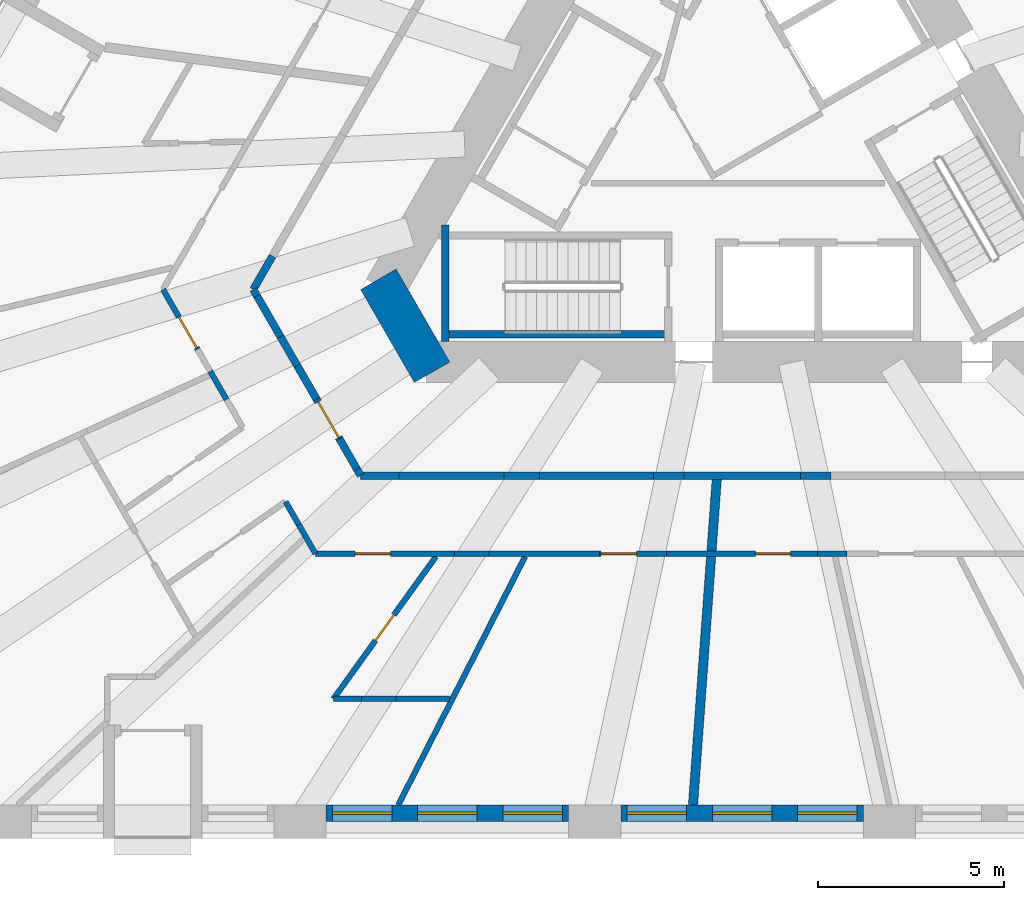
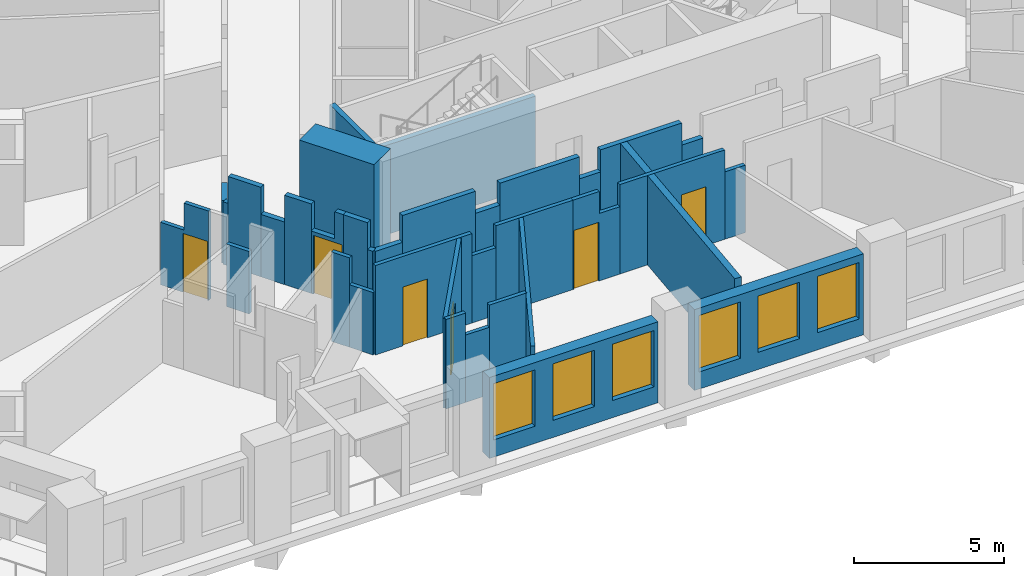
# One storey, part 3 of 14: 36 walls, 6 doors, 6 windows, 12 openings.
"""IFC4 building model written with IfcOpenShell, lengths in metres."""

from ifc_helpers import new_model, si_unit, direction, frame, frame_2d, origin, place, context, subcontext, project, spatial, polyline, rectangle, outline, extrude, material, layer, layer_set, type_object, element, fill, save


model = new_model("IFC4")

# Units and contexts
model_context = context("Model", 3, precision=1e-05, world=origin(), true_north=direction((0.0, 1.0)))
body_context = subcontext(model_context, "Body", "Model", "MODEL_VIEW")
ifc_project = project(units=[si_unit("LENGTHUNIT", "METRE"), si_unit("AREAUNIT", "SQUARE_METRE"), si_unit("VOLUMEUNIT", "CUBIC_METRE"), si_unit("PLANEANGLEUNIT", "RADIAN"), si_unit("MASSUNIT", "GRAM", prefix="KILO")], contexts=[model_context])

# Site, building, storey
site_placement = place(None, origin())
site = spatial("IfcSite", under=ifc_project, at=site_placement, CompositionType="ELEMENT")
building_placement = place(site_placement, origin())
building = spatial("IfcBuilding", under=site, at=building_placement, Name="Tramontana Tower", CompositionType="ELEMENT")
storey_placement = place(building_placement, frame((0.0, 0.0, 34.0)))
storey = spatial("IfcBuildingStorey", under=building, at=storey_placement, Name="L06", CompositionType="ELEMENT", Elevation=34.0)

# Walls
ifc_material_1 = material(Name="Concrete 70 MPa", Category="concrete")
ifc_layer_1 = layer(ifc_material_1, 1.10009765625)
ifc_layer_set_1 = layer_set([ifc_layer_1], Name="Core wall 1100 70 MPa")
wall_type_1 = type_object("IfcWallType", Name="Core wall 1100 70 MPa", PredefinedType="SHEAR", material=ifc_layer_set_1)
wall_1_placement = place(storey_placement, frame((-9.771728515625, -3.97509765625, 0.0), z_axis=(0.0, 0.0, 1.0), x_axis=(0.499995765644, -0.866027848477, 0.0)))
element("IfcWall", 1, at=wall_1_placement, inside=storey, type_object=wall_type_1, Name="Core wall C2 L06", PredefinedType="SHEAR", context=body_context, shape_type="SweptSolid", body=[
    extrude(rectangle(XDim=2.88671875, YDim=1.10009765625, at=frame_2d((1.443359375, 0.0))), origin(), (0.0, 0.0, 1.0), 4.0),
])
ifc_material_2 = material(Name="Blockwork", Category="masonry")
ifc_layer_2 = layer(ifc_material_2, 0.199951171875)
ifc_layer_set_2 = layer_set([ifc_layer_2], Name="ENTRY WALL 200")
wall_type_2 = type_object("IfcWallType", Name="ENTRY WALL 200", PredefinedType="SOLIDWALL", material=ifc_layer_set_2)
wall_2_placement = place(storey_placement, frame((2.383056640625, -9.25, 0.0), z_axis=(0.0, 0.0, 1.0), x_axis=(-1.0, 0.0, 0.0)))
element("IfcWall", 2, at=wall_2_placement, inside=storey, type_object=wall_type_2, Name="Wall v01-ew2-4", PredefinedType="SOLIDWALL", context=body_context, shape_type="SweptSolid", body=[
    extrude(rectangle(XDim=0.81787109375, YDim=0.199951171875, at=frame_2d((0.408935546875, 0.0))), origin(), (0.0, 0.0, 1.0), 2.75),
])
wall_3_placement = place(storey_placement, frame((1.565185546875, -9.25, 0.0), z_axis=(0.0, 0.0, 1.0), x_axis=(-1.0, 0.0, 0.0)))
element("IfcWall", 3, at=wall_3_placement, inside=storey, type_object=wall_type_2, Name="Wall v01-ew2-5", PredefinedType="SOLIDWALL", context=body_context, shape_type="SweptSolid", body=[
    extrude(rectangle(XDim=3.13037109375, YDim=0.199951171875, at=frame_2d((1.565185546875, 0.0))), origin(), (0.0, 0.0, 1.0), 3.64990234375),
])
wall_4_placement = place(storey_placement, frame((-1.565185546875, -9.25, 0.0), z_axis=(0.0, 0.0, 1.0), x_axis=(-1.0, 0.0, 0.0)))
element("IfcWall", 4, at=wall_4_placement, inside=storey, type_object=wall_type_2, Name="Wall v01-ew2-6", PredefinedType="SOLIDWALL", context=body_context, shape_type="SweptSolid", body=[
    extrude(rectangle(XDim=0.81787109375, YDim=0.199951171875, at=frame_2d((0.408935546875, 0.0))), origin(), (0.0, 0.0, 1.0), 2.75),
])
wall_5_placement = place(storey_placement, frame((-2.383056640625, -9.25, 0.0), z_axis=(0.0, 0.0, 1.0), x_axis=(-1.0, 0.0, 0.0)))
element("IfcWall", 5, at=wall_5_placement, inside=storey, type_object=wall_type_2, Name="Wall v01-ew2-7", PredefinedType="SOLIDWALL", context=body_context, shape_type="SweptSolid", body=[
    extrude(rectangle(XDim=3.064453125, YDim=0.199951171875, at=frame_2d((1.5322265625, 0.0))), origin(), (0.0, 0.0, 1.0), 3.64990234375),
])
wall_6_placement = place(storey_placement, frame((-5.447509765625, -9.25, 0.0), z_axis=(0.0, 0.0, 1.0), x_axis=(-1.0, 0.0, 0.0)))
element("IfcWall", 6, at=wall_6_placement, inside=storey, type_object=wall_type_2, Name="Wall v01-ew2-8", PredefinedType="SOLIDWALL", context=body_context, shape_type="SweptSolid", body=[
    extrude(rectangle(XDim=0.949951171875, YDim=0.199951171875, at=frame_2d((0.47509765625, 0.0))), origin(), (0.0, 0.0, 1.0), 2.75),
])
wall_7_placement = place(storey_placement, frame((-6.3974609375, -9.25, 0.0), z_axis=(0.0, 0.0, 1.0), x_axis=(-1.0, 0.0, 0.0)))
element("IfcWall", 7, at=wall_7_placement, inside=storey, type_object=wall_type_2, Name="Wall v01-ew2-9", PredefinedType="SOLIDWALL", context=body_context, shape_type="SweptSolid", body=[
    extrude(rectangle(XDim=2.815185546875, YDim=0.199951171875, at=frame_2d((1.40771484375, 0.0))), origin(), (0.0, 0.0, 1.0), 3.64990234375),
])
wall_8_placement = place(storey_placement, frame((-9.212646484375, -9.25, 0.0), z_axis=(0.0, 0.0, 1.0), x_axis=(-1.0, 0.0, 0.0)))
element("IfcWall", 8, at=wall_8_placement, inside=storey, type_object=wall_type_2, Name="Wall v01-ew2-10", PredefinedType="SOLIDWALL", context=body_context, shape_type="SweptSolid", body=[
    extrude(rectangle(XDim=1.035400390625, YDim=0.199951171875, at=frame_2d((0.517578125, 0.0))), origin(), (0.0, 0.0, 1.0), 2.550048828125),
])
wall_9_placement = place(storey_placement, frame((-10.248046875, -9.25, 0.0), z_axis=(0.0, 0.0, 1.0), x_axis=(-0.499865263774, 0.866103179807, 0.0)))
element("IfcWall", 9, at=wall_9_placement, inside=storey, type_object=wall_type_2, Name="Wall v01-ew3-0", PredefinedType="SOLIDWALL", context=body_context, shape_type="SweptSolid", body=[
    extrude(rectangle(XDim=0.197265625, YDim=0.199951171875, at=frame_2d((0.0986328125, 0.0))), origin(), (0.0, 0.0, 1.0), 2.550048828125),
])
wall_10_placement = place(storey_placement, frame((-10.3466796875, -9.0791015625, 0.0), z_axis=(0.0, 0.0, 1.0), x_axis=(-0.499925626596, 0.866068339032, 0.0)))
element("IfcWall", 10, at=wall_10_placement, inside=storey, type_object=wall_type_2, Name="Wall v01-ew3-1", PredefinedType="SOLIDWALL", context=body_context, shape_type="SweptSolid", body=[
    extrude(rectangle(XDim=0.936279296875, YDim=0.199951171875, at=frame_2d((0.46826171875, 0.0))), origin(), (0.0, 0.0, 1.0), 3.64990234375),
])

# Wall, opening, door
wall_11_placement = place(storey_placement, frame((-10.814697265625, -8.268310546875, 0.0), z_axis=(0.0, 0.0, 1.0), x_axis=(-0.500036725936, 0.866004199017, 0.0)))
wall_11 = element("IfcWall", 11, at=wall_11_placement, inside=storey, type_object=wall_type_2, Name="Wall v01-ew3-2", PredefinedType="SOLIDWALL", context=body_context, shape_type="SweptSolid", body=[
    extrude(outline(polyline([(0.0, 0.0), (1.23291015625, 0.0), (1.23291015625, 2.550048828125), (0.33056640625, 2.550048828125), (0.33056640625, 3.64990234375), (0.0, 3.64990234375), (0.0, 0.0)])), frame((0.0, 0.10009765625, 0.0), z_axis=(0.0, -1.0, 0.0), x_axis=(1.0, 0.0, 0.0)), (0.0, 0.0, 1.0), 0.199951171875),
])
opening_1_placement = place(wall_11_placement, frame((0.050048828125, 0.0, 0.0)))
opening_1 = element("IfcOpeningElement", 12, at=opening_1_placement, cuts=wall_11, Name="Opening B0B-35", PredefinedType="OPENING", context=body_context, shape_type="SweptSolid", body=[
    extrude(rectangle(XDim=1.10009765625, YDim=2.39990234375, at=frame_2d((0.550048828125, 1.199951171875))), frame((0.0, 0.10986328125, 0.0), z_axis=(0.0, -1.0, 0.0), x_axis=(1.0, 0.0, 0.0)), (0.0, 0.0, 1.0), 0.219970703125),
])
ifc_material_3 = material(Name="Painted timber", Category="wood")
door_type_1 = type_object("IfcDoorType", Name="DOOR ENTRY 1100", OperationType="SINGLE_SWING_LEFT", PredefinedType="DOOR", material=ifc_material_3)
door_1_placement = place(opening_1_placement, origin())
door_1 = element("IfcDoor", 13, at=door_1_placement, inside=storey, type_object=door_type_1, Name="Door B0B-35", OperationType="SINGLE_SWING_LEFT", OverallHeight=2.39990234375, OverallWidth=1.10009765625, PredefinedType="DOOR", context=body_context, shape_type="SweptSolid", body=[
    extrude(rectangle(XDim=1.10009765625, YDim=2.39990234375, at=frame_2d((0.550048828125, 1.199951171875))), frame((0.0, 0.02490234375, 0.0), z_axis=(0.0, -1.0, 0.0), x_axis=(1.0, 0.0, 0.0)), (0.0, 0.0, 1.0), 0.050048828125),
])
fill(opening_1, door_1)

# Walls
wall_12_placement = place(storey_placement, frame((-11.43115234375, -7.20068359375, 0.0), z_axis=(0.0, 0.0, 1.0), x_axis=(-0.499898446243, 0.866084027935, 0.0)))
element("IfcWall", 14, at=wall_12_placement, inside=storey, type_object=wall_type_2, Name="Wall v01-ew3-3", PredefinedType="SOLIDWALL", context=body_context, shape_type="SweptSolid", body=[
    extrude(rectangle(XDim=1.040771484375, YDim=0.199951171875, at=frame_2d((0.5205078125, 0.0))), origin(), (0.0, 0.0, 1.0), 3.64990234375),
])
wall_13_placement = place(storey_placement, frame((-11.951416015625, -6.29931640625, 0.0), z_axis=(0.0, 0.0, 1.0), x_axis=(-0.500097243556, 0.865969252911, 0.0)))
element("IfcWall", 15, at=wall_13_placement, inside=storey, type_object=wall_type_2, Name="Wall v01-ew3-4", PredefinedType="SOLIDWALL", context=body_context, shape_type="SweptSolid", body=[
    extrude(rectangle(XDim=0.902099609375, YDim=0.199951171875, at=frame_2d((0.451171875, 0.0))), origin(), (0.0, 0.0, 1.0), 2.550048828125),
])
wall_14_placement = place(storey_placement, frame((-12.402587890625, -5.51806640625, 0.0), z_axis=(0.0, 0.0, 1.0), x_axis=(-0.500056058743, 0.865993035835, 0.0)))
element("IfcWall", 16, at=wall_14_placement, inside=storey, type_object=wall_type_2, Name="Wall v01-ew3-5", PredefinedType="SOLIDWALL", context=body_context, shape_type="SweptSolid", body=[
    extrude(rectangle(XDim=1.266845703125, YDim=0.199951171875, at=frame_2d((0.63330078125, 0.0))), origin(), (0.0, 0.0, 1.0), 3.64990234375),
])
wall_15_placement = place(storey_placement, frame((-13.0361328125, -4.4208984375, 0.0), z_axis=(0.0, 0.0, 1.0), x_axis=(-0.499865263774, 0.866103179807, 0.0)))
element("IfcWall", 17, at=wall_15_placement, inside=storey, type_object=wall_type_2, Name="Wall v01-ew3-6", PredefinedType="SOLIDWALL", context=body_context, shape_type="SweptSolid", body=[
    extrude(rectangle(XDim=0.197265625, YDim=0.199951171875, at=frame_2d((0.0986328125, 0.0))), origin(), (0.0, 0.0, 1.0), 2.550048828125),
])
wall_16_placement = place(storey_placement, frame((-13.134765625, -4.25, 0.0), z_axis=(0.0, 0.0, 1.0), x_axis=(0.500171514983, 0.865926356915, 0.0)))
element("IfcWall", 18, at=wall_16_placement, inside=storey, type_object=wall_type_2, Name="Wall v01-ew4-0", PredefinedType="SOLIDWALL", context=body_context, shape_type="SweptSolid", body=[
    extrude(rectangle(XDim=1.035400390625, YDim=0.199951171875, at=frame_2d((0.517578125, 0.0))), origin(), (0.0, 0.0, 1.0), 2.550048828125),
])

# Wall, openings, windows
ifc_material_4 = material(Name="Precast concrete 60 MPa", Category="concrete")
ifc_layer_3 = layer(ifc_material_4, 0.449951171875)
ifc_layer_set_3 = layer_set([ifc_layer_3], Name="Precast concrete 60 MPa, 450 mm")
wall_type_3 = type_object("IfcWallType", Name="EW1 Stone-faced precast wall 450", PredefinedType="SOLIDWALL", material=ifc_layer_set_3)
wall_17_placement = place(storey_placement, frame((-11.177001953125, -18.324951171875, 0.0), z_axis=(0.0, 0.0, 1.0), x_axis=(1.0, 0.0, 0.0)))
wall_17 = element("IfcWall", 19, at=wall_17_placement, inside=storey, type_object=wall_type_3, Name="External wall L06 face 1 bay 3", PredefinedType="SOLIDWALL", context=body_context, shape_type="SweptSolid", body=[
    extrude(rectangle(XDim=6.51806640625, YDim=0.449951171875, at=frame_2d((3.259033203125, 0.0))), origin(), (0.0, 0.0, 1.0), 3.300048828125),
])
opening_2_placement = place(wall_17_placement, frame((0.169677734375, 0.0, 0.699951171875)))
opening_2 = element("IfcOpeningElement", 20, at=opening_2_placement, cuts=wall_17, Name="Opening M1", PredefinedType="OPENING", context=body_context, shape_type="SweptSolid", body=[
    extrude(rectangle(XDim=1.60009765625, YDim=2.300048828125, at=frame_2d((0.800048828125, 1.14990234375))), frame((0.0, 0.23486328125, 0.0), z_axis=(0.0, -1.0, 0.0), x_axis=(1.0, 0.0, 0.0)), (0.0, 0.0, 1.0), 0.469970703125),
])
opening_3_placement = place(wall_17_placement, frame((2.458984375, 0.0, 0.699951171875)))
opening_3 = element("IfcOpeningElement", 21, at=opening_3_placement, cuts=wall_17, Name="Opening M1", PredefinedType="OPENING", context=body_context, shape_type="SweptSolid", body=[
    extrude(rectangle(XDim=1.60009765625, YDim=2.300048828125, at=frame_2d((0.800048828125, 1.14990234375))), frame((0.0, 0.23486328125, 0.0), z_axis=(0.0, -1.0, 0.0), x_axis=(1.0, 0.0, 0.0)), (0.0, 0.0, 1.0), 0.469970703125),
])
opening_4_placement = place(wall_17_placement, frame((4.748291015625, 0.0, 0.699951171875)))
opening_4 = element("IfcOpeningElement", 22, at=opening_4_placement, cuts=wall_17, Name="Opening M1", PredefinedType="OPENING", context=body_context, shape_type="SweptSolid", body=[
    extrude(rectangle(XDim=1.60009765625, YDim=2.300048828125, at=frame_2d((0.800048828125, 1.14990234375))), frame((0.0, 0.23486328125, 0.0), z_axis=(0.0, -1.0, 0.0), x_axis=(1.0, 0.0, 0.0)), (0.0, 0.0, 1.0), 0.469970703125),
])
ifc_material_5 = material(Name="Aluminum frame, double glazing unit", Category="aluminium")
window_type = type_object("IfcWindowType", Name="M1 Window 1.6 x 2.3", PartitioningType="SINGLE_PANEL", PredefinedType="WINDOW", material=ifc_material_5)
window_1_placement = place(opening_2_placement, origin())
window_1 = element("IfcWindow", 23, at=window_1_placement, inside=storey, type_object=window_type, Name="Window M1 L06 face 1 module 7", OverallHeight=2.300048828125, OverallWidth=1.60009765625, PartitioningType="SINGLE_PANEL", PredefinedType="WINDOW", context=body_context, shape_type="SweptSolid", body=[
    extrude(rectangle(XDim=1.60009765625, YDim=2.300048828125, at=frame_2d((0.800048828125, 1.14990234375))), frame((0.0, 0.030029296875, 0.0), z_axis=(0.0, -1.0, 0.0), x_axis=(1.0, 0.0, 0.0)), (0.0, 0.0, 1.0), 0.06005859375),
])
fill(opening_2, window_1)
window_2_placement = place(opening_3_placement, origin())
window_2 = element("IfcWindow", 24, at=window_2_placement, inside=storey, type_object=window_type, Name="Window M1 L06 face 1 module 8", OverallHeight=2.300048828125, OverallWidth=1.60009765625, PartitioningType="SINGLE_PANEL", PredefinedType="WINDOW", context=body_context, shape_type="SweptSolid", body=[
    extrude(rectangle(XDim=1.60009765625, YDim=2.300048828125, at=frame_2d((0.800048828125, 1.14990234375))), frame((0.0, 0.030029296875, 0.0), z_axis=(0.0, -1.0, 0.0), x_axis=(1.0, 0.0, 0.0)), (0.0, 0.0, 1.0), 0.06005859375),
])
fill(opening_3, window_2)
window_3_placement = place(opening_4_placement, origin())
window_3 = element("IfcWindow", 25, at=window_3_placement, inside=storey, type_object=window_type, Name="Window M1 L06 face 1 module 9", OverallHeight=2.300048828125, OverallWidth=1.60009765625, PartitioningType="SINGLE_PANEL", PredefinedType="WINDOW", context=body_context, shape_type="SweptSolid", body=[
    extrude(rectangle(XDim=1.60009765625, YDim=2.300048828125, at=frame_2d((0.800048828125, 1.14990234375))), frame((0.0, 0.030029296875, 0.0), z_axis=(0.0, -1.0, 0.0), x_axis=(1.0, 0.0, 0.0)), (0.0, 0.0, 1.0), 0.06005859375),
])
fill(opening_4, window_3)

wall_18_placement = place(storey_placement, frame((-3.259033203125, -18.324951171875, 0.0), z_axis=(0.0, 0.0, 1.0), x_axis=(1.0, 0.0, 0.0)))
wall_18 = element("IfcWall", 26, at=wall_18_placement, inside=storey, type_object=wall_type_3, Name="External wall L06 face 1 bay 4", PredefinedType="SOLIDWALL", context=body_context, shape_type="SweptSolid", body=[
    extrude(rectangle(XDim=6.51806640625, YDim=0.449951171875, at=frame_2d((3.259033203125, 0.0))), origin(), (0.0, 0.0, 1.0), 3.300048828125),
])
opening_5_placement = place(wall_18_placement, frame((0.169677734375, 0.0, 0.699951171875)))
opening_5 = element("IfcOpeningElement", 27, at=opening_5_placement, cuts=wall_18, Name="Opening M1", PredefinedType="OPENING", context=body_context, shape_type="SweptSolid", body=[
    extrude(rectangle(XDim=1.60009765625, YDim=2.300048828125, at=frame_2d((0.800048828125, 1.14990234375))), frame((0.0, 0.23486328125, 0.0), z_axis=(0.0, -1.0, 0.0), x_axis=(1.0, 0.0, 0.0)), (0.0, 0.0, 1.0), 0.469970703125),
])
opening_6_placement = place(wall_18_placement, frame((2.458984375, 0.0, 0.699951171875)))
opening_6 = element("IfcOpeningElement", 28, at=opening_6_placement, cuts=wall_18, Name="Opening M1", PredefinedType="OPENING", context=body_context, shape_type="SweptSolid", body=[
    extrude(rectangle(XDim=1.60009765625, YDim=2.300048828125, at=frame_2d((0.800048828125, 1.14990234375))), frame((0.0, 0.23486328125, 0.0), z_axis=(0.0, -1.0, 0.0), x_axis=(1.0, 0.0, 0.0)), (0.0, 0.0, 1.0), 0.469970703125),
])
opening_7_placement = place(wall_18_placement, frame((4.748291015625, 0.0, 0.699951171875)))
opening_7 = element("IfcOpeningElement", 29, at=opening_7_placement, cuts=wall_18, Name="Opening M1", PredefinedType="OPENING", context=body_context, shape_type="SweptSolid", body=[
    extrude(rectangle(XDim=1.60009765625, YDim=2.300048828125, at=frame_2d((0.800048828125, 1.14990234375))), frame((0.0, 0.23486328125, 0.0), z_axis=(0.0, -1.0, 0.0), x_axis=(1.0, 0.0, 0.0)), (0.0, 0.0, 1.0), 0.469970703125),
])
window_4_placement = place(opening_5_placement, origin())
window_4 = element("IfcWindow", 30, at=window_4_placement, inside=storey, type_object=window_type, Name="Window M1 L06 face 1 module 10", OverallHeight=2.300048828125, OverallWidth=1.60009765625, PartitioningType="SINGLE_PANEL", PredefinedType="WINDOW", context=body_context, shape_type="SweptSolid", body=[
    extrude(rectangle(XDim=1.60009765625, YDim=2.300048828125, at=frame_2d((0.800048828125, 1.14990234375))), frame((0.0, 0.030029296875, 0.0), z_axis=(0.0, -1.0, 0.0), x_axis=(1.0, 0.0, 0.0)), (0.0, 0.0, 1.0), 0.06005859375),
])
fill(opening_5, window_4)
window_5_placement = place(opening_6_placement, origin())
window_5 = element("IfcWindow", 31, at=window_5_placement, inside=storey, type_object=window_type, Name="Window M1 L06 face 1 module 11", OverallHeight=2.300048828125, OverallWidth=1.60009765625, PartitioningType="SINGLE_PANEL", PredefinedType="WINDOW", context=body_context, shape_type="SweptSolid", body=[
    extrude(rectangle(XDim=1.60009765625, YDim=2.300048828125, at=frame_2d((0.800048828125, 1.14990234375))), frame((0.0, 0.030029296875, 0.0), z_axis=(0.0, -1.0, 0.0), x_axis=(1.0, 0.0, 0.0)), (0.0, 0.0, 1.0), 0.06005859375),
])
fill(opening_6, window_5)
window_6_placement = place(opening_7_placement, origin())
window_6 = element("IfcWindow", 32, at=window_6_placement, inside=storey, type_object=window_type, Name="Window M1 L06 face 1 module 12", OverallHeight=2.300048828125, OverallWidth=1.60009765625, PartitioningType="SINGLE_PANEL", PredefinedType="WINDOW", context=body_context, shape_type="SweptSolid", body=[
    extrude(rectangle(XDim=1.60009765625, YDim=2.300048828125, at=frame_2d((0.800048828125, 1.14990234375))), frame((0.0, 0.030029296875, 0.0), z_axis=(0.0, -1.0, 0.0), x_axis=(1.0, 0.0, 0.0)), (0.0, 0.0, 1.0), 0.06005859375),
])
fill(opening_7, window_6)

# Wall
ifc_material_6 = material(Name="Gypsum board partition")
ifc_layer_4 = layer(ifc_material_6, 0.14990234375)
ifc_layer_set_4 = layer_set([ifc_layer_4], Name="PARTITION 150")
wall_type_4 = type_object("IfcWallType", Name="PARTITION 150", PredefinedType="PARTITIONING", material=ifc_layer_set_4)
wall_19_placement = place(storey_placement, frame((-13.85205078125, -7.207763671875, 0.0), z_axis=(0.0, 0.0, 1.0), x_axis=(-0.499850947872, 0.86611144197, 0.0)))
element("IfcWall", 33, at=wall_19_placement, inside=storey, type_object=wall_type_4, Name="Wall v01-pw09-1", PredefinedType="PARTITIONING", context=body_context, shape_type="SweptSolid", body=[
    extrude(rectangle(XDim=0.877197265625, YDim=0.14990234375, at=frame_2d((0.4384765625, 0.0))), origin(), (0.0, 0.0, 1.0), 2.550048828125),
])

# Wall, opening, door
wall_20_placement = place(storey_placement, frame((-14.631103515625, -5.8583984375, 0.0), z_axis=(0.0, 0.0, 1.0), x_axis=(-0.499942461466, 0.866058621124, 0.0)))
wall_20 = element("IfcWall", 34, at=wall_20_placement, inside=storey, type_object=wall_type_4, Name="Wall v01-pw09-3", PredefinedType="PARTITIONING", context=body_context, shape_type="SweptSolid", body=[
    extrude(outline(polyline([(0.0, 0.0), (1.857177734375, 0.0), (1.857177734375, 2.550048828125), (0.95068359375, 2.550048828125), (0.95068359375, 3.64990234375), (0.0, 3.64990234375), (0.0, 0.0)])), frame((0.0, 0.074951171875, 0.0), z_axis=(0.0, -1.0, 0.0), x_axis=(1.0, 0.0, 0.0)), (0.0, 0.0, 1.0), 0.14990234375),
])
opening_8_placement = place(wall_20_placement, frame((0.050048828125, 0.0, 0.0)))
opening_8 = element("IfcOpeningElement", 35, at=opening_8_placement, cuts=wall_20, Name="Opening B0B-17", PredefinedType="OPENING", context=body_context, shape_type="SweptSolid", body=[
    extrude(rectangle(XDim=0.949951171875, YDim=2.39990234375, at=frame_2d((0.47509765625, 1.199951171875))), frame((0.0, 0.0849609375, 0.0), z_axis=(0.0, -1.0, 0.0), x_axis=(1.0, 0.0, 0.0)), (0.0, 0.0, 1.0), 0.169921875),
])
ifc_material_7 = material(Name="Painted timber", Category="wood")
door_type_2 = type_object("IfcDoorType", Name="DOOR ROOM 950", OperationType="SINGLE_SWING_LEFT", PredefinedType="DOOR", material=ifc_material_7)
door_2_placement = place(opening_8_placement, origin())
door_2 = element("IfcDoor", 36, at=door_2_placement, inside=storey, type_object=door_type_2, Name="Door B0B-17", OperationType="SINGLE_SWING_LEFT", OverallHeight=2.39990234375, OverallWidth=0.949951171875, PredefinedType="DOOR", context=body_context, shape_type="SweptSolid", body=[
    extrude(rectangle(XDim=0.949951171875, YDim=2.39990234375, at=frame_2d((0.47509765625, 1.199951171875))), frame((0.0, 0.02490234375, 0.0), z_axis=(0.0, -1.0, 0.0), x_axis=(1.0, 0.0, 0.0)), (0.0, 0.0, 1.0), 0.050048828125),
])
fill(opening_8, door_2)

# Walls
wall_21_placement = place(storey_placement, frame((-11.46044921875, -11.35009765625, 0.0), z_axis=(0.0, 0.0, 1.0), x_axis=(-0.499846793097, 0.866113839764, 0.0)))
element("IfcWall", 37, at=wall_21_placement, inside=storey, type_object=wall_type_4, Name="Wall v01-pw13-0", PredefinedType="PARTITIONING", context=body_context, shape_type="SweptSolid", body=[
    extrude(rectangle(XDim=0.906494140625, YDim=0.14990234375, at=frame_2d((0.453125, 0.0))), origin(), (0.0, 0.0, 1.0), 2.550048828125),
])
wall_22_placement = place(storey_placement, frame((-11.91357421875, -10.56494140625, 0.0), z_axis=(0.0, 0.0, 1.0), x_axis=(-0.500081682786, 0.86597823907, 0.0)))
element("IfcWall", 38, at=wall_22_placement, inside=storey, type_object=wall_type_4, Name="Wall v01-pw13-1", PredefinedType="PARTITIONING", context=body_context, shape_type="SweptSolid", body=[
    extrude(rectangle(XDim=0.7060546875, YDim=0.14990234375, at=frame_2d((0.35302734375, 0.0))), origin(), (0.0, 0.0, 1.0), 3.64990234375),
])

# Wall, opening, door
wall_23_placement = place(storey_placement, frame((-8.2255859375, -11.425048828125, 0.0), z_axis=(0.0, 0.0, 1.0), x_axis=(-0.584296538354, -0.811540236382, 0.0)))
wall_23 = element("IfcWall", 39, at=wall_23_placement, inside=storey, type_object=wall_type_4, Name="Wall v01-pw14", PredefinedType="PARTITIONING", context=body_context, shape_type="SweptSolid", body=[
    extrude(rectangle(XDim=4.713134765625, YDim=0.14990234375, at=frame_2d((2.3564453125, 0.0))), origin(), (0.0, 0.0, 1.0), 3.64990234375),
])
opening_9_placement = place(wall_23_placement, frame((1.931640625, 0.0, 0.0)))
opening_9 = element("IfcOpeningElement", 40, at=opening_9_placement, cuts=wall_23, Name="Opening B0B-22", PredefinedType="OPENING", context=body_context, shape_type="SweptSolid", body=[
    extrude(rectangle(XDim=0.85009765625, YDim=2.39990234375, at=frame_2d((0.425048828125, 1.199951171875))), frame((0.0, 0.0849609375, 0.0), z_axis=(0.0, -1.0, 0.0), x_axis=(1.0, 0.0, 0.0)), (0.0, 0.0, 1.0), 0.169921875),
])
ifc_material_8 = material(Name="Painted timber", Category="wood")
door_type_3 = type_object("IfcDoorType", Name="DOOR BATH 850", OperationType="SINGLE_SWING_LEFT", PredefinedType="DOOR", material=ifc_material_8)
door_3_placement = place(opening_9_placement, origin())
door_3 = element("IfcDoor", 41, at=door_3_placement, inside=storey, type_object=door_type_3, Name="Door B0B-22", OperationType="SINGLE_SWING_RIGHT", OverallHeight=2.39990234375, OverallWidth=0.85009765625, PredefinedType="DOOR", context=body_context, shape_type="SweptSolid", body=[
    extrude(rectangle(XDim=0.85009765625, YDim=2.39990234375, at=frame_2d((0.425048828125, 1.199951171875))), frame((0.0, 0.02490234375, 0.0), z_axis=(0.0, -1.0, 0.0), x_axis=(1.0, 0.0, 0.0)), (0.0, 0.0, 1.0), 0.050048828125),
])
fill(opening_9, door_3)

# Walls
wall_24_placement = place(storey_placement, frame((-7.867431640625, -15.25, 0.0), z_axis=(0.0, 0.0, 1.0), x_axis=(-1.0, 0.0, 0.0)))
element("IfcWall", 42, at=wall_24_placement, inside=storey, type_object=wall_type_4, Name="Wall v01-pw19-0", PredefinedType="PARTITIONING", context=body_context, shape_type="SweptSolid", body=[
    extrude(rectangle(XDim=1.4365234375, YDim=0.14990234375, at=frame_2d((0.71826171875, 0.0))), origin(), (0.0, 0.0, 1.0), 3.64990234375),
])
wall_25_placement = place(storey_placement, frame((-9.303955078125, -15.25, 0.0), z_axis=(0.0, 0.0, 1.0), x_axis=(-1.0, 0.0, 0.0)))
element("IfcWall", 43, at=wall_25_placement, inside=storey, type_object=wall_type_4, Name="Wall v01-pw19-1", PredefinedType="PARTITIONING", context=body_context, shape_type="SweptSolid", body=[
    extrude(rectangle(XDim=0.920166015625, YDim=0.14990234375, at=frame_2d((0.4599609375, 0.0))), origin(), (0.0, 0.0, 1.0), 2.75),
])
wall_26_placement = place(storey_placement, frame((-10.22412109375, -15.25, 0.0), z_axis=(0.0, 0.0, 1.0), x_axis=(-1.0, 0.0, 0.0)))
element("IfcWall", 44, at=wall_26_placement, inside=storey, type_object=wall_type_4, Name="Wall v01-pw19-2", PredefinedType="PARTITIONING", context=body_context, shape_type="SweptSolid", body=[
    extrude(rectangle(XDim=0.75537109375, YDim=0.14990234375, at=frame_2d((0.377685546875, 0.0))), origin(), (0.0, 0.0, 1.0), 3.64990234375),
])
wall_27_placement = place(storey_placement, frame((-5.830810546875, -11.425048828125, 0.0), z_axis=(0.0, 0.0, 1.0), x_axis=(-0.454600112476, -0.890695648208, 0.0)))
element("IfcWall", 45, at=wall_27_placement, inside=storey, type_object=wall_type_4, Name="Wall v01-pw22", PredefinedType="PARTITIONING", context=body_context, shape_type="SweptSolid", body=[
    extrude(rectangle(XDim=7.493896484375, YDim=0.14990234375, at=frame_2d((3.7470703125, 0.0))), origin(), (0.0, 0.0, 1.0), 3.64990234375),
])
wall_28_placement = place(storey_placement, frame((2.818603515625, -11.35009765625, 0.0), z_axis=(0.0, 0.0, 1.0), x_axis=(-1.0, 0.0, 0.0)))
element("IfcWall", 46, at=wall_28_placement, inside=storey, type_object=wall_type_4, Name="Wall v01-pw45-3", PredefinedType="PARTITIONING", context=body_context, shape_type="SweptSolid", body=[
    extrude(rectangle(XDim=0.79248046875, YDim=0.14990234375, at=frame_2d((0.396240234375, 0.0))), origin(), (0.0, 0.0, 1.0), 2.75),
])

# Wall, opening, door
wall_29_placement = place(storey_placement, frame((2.026123046875, -11.35009765625, 0.0), z_axis=(0.0, 0.0, 1.0), x_axis=(-1.0, 0.0, 0.0)))
wall_29 = element("IfcWall", 47, at=wall_29_placement, inside=storey, type_object=wall_type_4, Name="Wall v01-pw45-4", PredefinedType="PARTITIONING", context=body_context, shape_type="SweptSolid", body=[
    extrude(rectangle(XDim=4.05224609375, YDim=0.14990234375, at=frame_2d((2.026123046875, 0.0))), origin(), (0.0, 0.0, 1.0), 3.64990234375),
])
opening_10_placement = place(wall_29_placement, frame((0.72216796875, 0.0, 0.0)))
opening_10 = element("IfcOpeningElement", 48, at=opening_10_placement, cuts=wall_29, Name="Opening B0B-29", PredefinedType="OPENING", context=body_context, shape_type="SweptSolid", body=[
    extrude(rectangle(XDim=0.949951171875, YDim=2.39990234375, at=frame_2d((0.47509765625, 1.199951171875))), frame((0.0, 0.0849609375, 0.0), z_axis=(0.0, -1.0, 0.0), x_axis=(1.0, 0.0, 0.0)), (0.0, 0.0, 1.0), 0.169921875),
])
door_4_placement = place(opening_10_placement, origin())
door_4 = element("IfcDoor", 49, at=door_4_placement, inside=storey, type_object=door_type_2, Name="Door B0B-29", OperationType="SINGLE_SWING_LEFT", OverallHeight=2.39990234375, OverallWidth=0.949951171875, PredefinedType="DOOR", context=body_context, shape_type="SweptSolid", body=[
    extrude(rectangle(XDim=0.949951171875, YDim=2.39990234375, at=frame_2d((0.47509765625, 1.199951171875))), frame((0.0, 0.02490234375, 0.0), z_axis=(0.0, -1.0, 0.0), x_axis=(1.0, 0.0, 0.0)), (0.0, 0.0, 1.0), 0.050048828125),
])
fill(opening_10, door_4)

wall_30_placement = place(storey_placement, frame((-2.026123046875, -11.35009765625, 0.0), z_axis=(0.0, 0.0, 1.0), x_axis=(-1.0, 0.0, 0.0)))
wall_30 = element("IfcWall", 50, at=wall_30_placement, inside=storey, type_object=wall_type_4, Name="Wall v01-pw45-5", PredefinedType="PARTITIONING", context=body_context, shape_type="SweptSolid", body=[
    extrude(outline(polyline([(0.0, 0.0), (1.810546875, 0.0), (1.810546875, 3.64990234375), (0.79248046875, 3.64990234375), (0.79248046875, 2.75), (0.0, 2.75), (0.0, 0.0)])), frame((0.0, 0.074951171875, 0.0), z_axis=(0.0, -1.0, 0.0), x_axis=(1.0, 0.0, 0.0)), (0.0, 0.0, 1.0), 0.14990234375),
])
opening_11_placement = place(wall_30_placement, frame((0.810546875, 0.0, 0.0)))
opening_11 = element("IfcOpeningElement", 51, at=opening_11_placement, cuts=wall_30, Name="Opening B0B-20", PredefinedType="OPENING", context=body_context, shape_type="SweptSolid", body=[
    extrude(rectangle(XDim=0.949951171875, YDim=2.39990234375, at=frame_2d((0.47509765625, 1.199951171875))), frame((0.0, 0.0849609375, 0.0), z_axis=(0.0, -1.0, 0.0), x_axis=(1.0, 0.0, 0.0)), (0.0, 0.0, 1.0), 0.169921875),
])
door_5_placement = place(opening_11_placement, origin())
door_5 = element("IfcDoor", 52, at=door_5_placement, inside=storey, type_object=door_type_2, Name="Door B0B-20", OperationType="SINGLE_SWING_RIGHT", OverallHeight=2.39990234375, OverallWidth=0.949951171875, PredefinedType="DOOR", context=body_context, shape_type="SweptSolid", body=[
    extrude(rectangle(XDim=0.949951171875, YDim=2.39990234375, at=frame_2d((0.47509765625, 1.199951171875))), frame((0.0, 0.02490234375, 0.0), z_axis=(0.0, -1.0, 0.0), x_axis=(1.0, 0.0, 0.0)), (0.0, 0.0, 1.0), 0.050048828125),
])
fill(opening_11, door_5)

# Walls
wall_31_placement = place(storey_placement, frame((-3.836669921875, -11.35009765625, 0.0), z_axis=(0.0, 0.0, 1.0), x_axis=(-1.0, 0.0, 0.0)))
element("IfcWall", 53, at=wall_31_placement, inside=storey, type_object=wall_type_4, Name="Wall v01-pw45-6", PredefinedType="PARTITIONING", context=body_context, shape_type="SweptSolid", body=[
    extrude(rectangle(XDim=2.97021484375, YDim=0.14990234375, at=frame_2d((1.485107421875, 0.0))), origin(), (0.0, 0.0, 1.0), 3.64990234375),
])
wall_32_placement = place(storey_placement, frame((-6.806884765625, -11.35009765625, 0.0), z_axis=(0.0, 0.0, 1.0), x_axis=(-1.0, 0.0, 0.0)))
element("IfcWall", 54, at=wall_32_placement, inside=storey, type_object=wall_type_4, Name="Wall v01-pw45-7", PredefinedType="PARTITIONING", context=body_context, shape_type="SweptSolid", body=[
    extrude(rectangle(XDim=0.920166015625, YDim=0.14990234375, at=frame_2d((0.4599609375, 0.0))), origin(), (0.0, 0.0, 1.0), 2.75),
])

# Wall, opening, door
wall_33_placement = place(storey_placement, frame((-7.72705078125, -11.35009765625, 0.0), z_axis=(0.0, 0.0, 1.0), x_axis=(-1.0, 0.0, 0.0)))
wall_33 = element("IfcWall", 55, at=wall_33_placement, inside=storey, type_object=wall_type_4, Name="Wall v01-pw45-8", PredefinedType="PARTITIONING", context=body_context, shape_type="SweptSolid", body=[
    extrude(rectangle(XDim=3.7333984375, YDim=0.14990234375, at=frame_2d((1.86669921875, 0.0))), origin(), (0.0, 0.0, 1.0), 3.64990234375),
])
opening_12_placement = place(wall_33_placement, frame((1.717041015625, 0.0, 0.0)))
opening_12 = element("IfcOpeningElement", 56, at=opening_12_placement, cuts=wall_33, Name="Opening B0B-19", PredefinedType="OPENING", context=body_context, shape_type="SweptSolid", body=[
    extrude(rectangle(XDim=0.949951171875, YDim=2.39990234375, at=frame_2d((0.47509765625, 1.199951171875))), frame((0.0, 0.0849609375, 0.0), z_axis=(0.0, -1.0, 0.0), x_axis=(1.0, 0.0, 0.0)), (0.0, 0.0, 1.0), 0.169921875),
])
door_6_placement = place(opening_12_placement, origin())
door_6 = element("IfcDoor", 57, at=door_6_placement, inside=storey, type_object=door_type_2, Name="Door B0B-19", OperationType="SINGLE_SWING_LEFT", OverallHeight=2.39990234375, OverallWidth=0.949951171875, PredefinedType="DOOR", context=body_context, shape_type="SweptSolid", body=[
    extrude(rectangle(XDim=0.949951171875, YDim=2.39990234375, at=frame_2d((0.47509765625, 1.199951171875))), frame((0.0, 0.02490234375, 0.0), z_axis=(0.0, -1.0, 0.0), x_axis=(1.0, 0.0, 0.0)), (0.0, 0.0, 1.0), 0.050048828125),
])
fill(opening_12, door_6)

# Walls
ifc_material_9 = material(Name="Blockwork", Category="masonry")
ifc_layer_5 = layer(ifc_material_9, 0.25)
ifc_layer_set_5 = layer_set([ifc_layer_5], Name="PARTY WALL 250")
wall_type_5 = type_object("IfcWallType", Name="PARTY WALL 250", PredefinedType="SOLIDWALL", material=ifc_layer_set_5)
wall_34_placement = place(storey_placement, frame((-0.681640625, -9.35009765625, 0.0), z_axis=(0.0, 0.0, 1.0), x_axis=(-0.072714366177, -0.997352806659, 0.0)))
element("IfcWall", 58, at=wall_34_placement, inside=storey, type_object=wall_type_5, Name="Wall v01-pw30", PredefinedType="SOLIDWALL", context=body_context, shape_type="SweptSolid", body=[
    extrude(rectangle(XDim=8.773193359375, YDim=0.25, at=frame_2d((4.38671875, 0.0))), origin(), (0.0, 0.0, 1.0), 3.64990234375),
])
ifc_material_10 = material(Name="Concrete 70 MPa", Category="concrete")
ifc_layer_6 = layer(ifc_material_10, 0.199951171875)
ifc_layer_set_6 = layer_set([ifc_layer_6], Name="Concrete 70 MPa, 200 mm")
wall_type_6 = type_object("IfcWallType", Name="RC SHAFT BACK WALL 200", PredefinedType="SOLIDWALL", material=ifc_layer_set_6)
wall_35_placement = place(storey_placement, frame((-8.080078125, -5.449951171875, 0.0), z_axis=(0.0, 0.0, 1.0), x_axis=(1.0, 0.0, 0.0)))
element("IfcWall", 59, at=wall_35_placement, inside=storey, type_object=wall_type_6, Name="Wall st2-back", PredefinedType="SOLIDWALL", context=body_context, shape_type="SweptSolid", body=[
    extrude(rectangle(XDim=6.2001953125, YDim=0.199951171875, at=frame_2d((3.10009765625, 0.0))), origin(), (0.0, 0.0, 1.0), 3.64990234375),
])
ifc_material_11 = material(Name="Concrete 70 MPa", Category="concrete")
ifc_layer_7 = layer(ifc_material_11, 0.199951171875)
ifc_layer_set_7 = layer_set([ifc_layer_7], Name="Concrete 70 MPa, 200 mm")
wall_type_7 = type_object("IfcWallType", Name="RC STAIR AND SHAFT WALL 200", PredefinedType="SOLIDWALL", material=ifc_layer_set_7)
wall_36_placement = place(storey_placement, frame((-7.97998046875, -2.521728515625, 0.0), z_axis=(0.0, 0.0, 1.0), x_axis=(0.0, -1.0, 0.0)))
element("IfcWall", 60, at=wall_36_placement, inside=storey, type_object=wall_type_7, Name="Wall st2-far", PredefinedType="SOLIDWALL", context=body_context, shape_type="SweptSolid", body=[
    extrude(rectangle(XDim=3.128173828125, YDim=0.199951171875, at=frame_2d((1.56396484375, 0.0))), origin(), (0.0, 0.0, 1.0), 3.64990234375),
])

save(model, "model.ifc")
